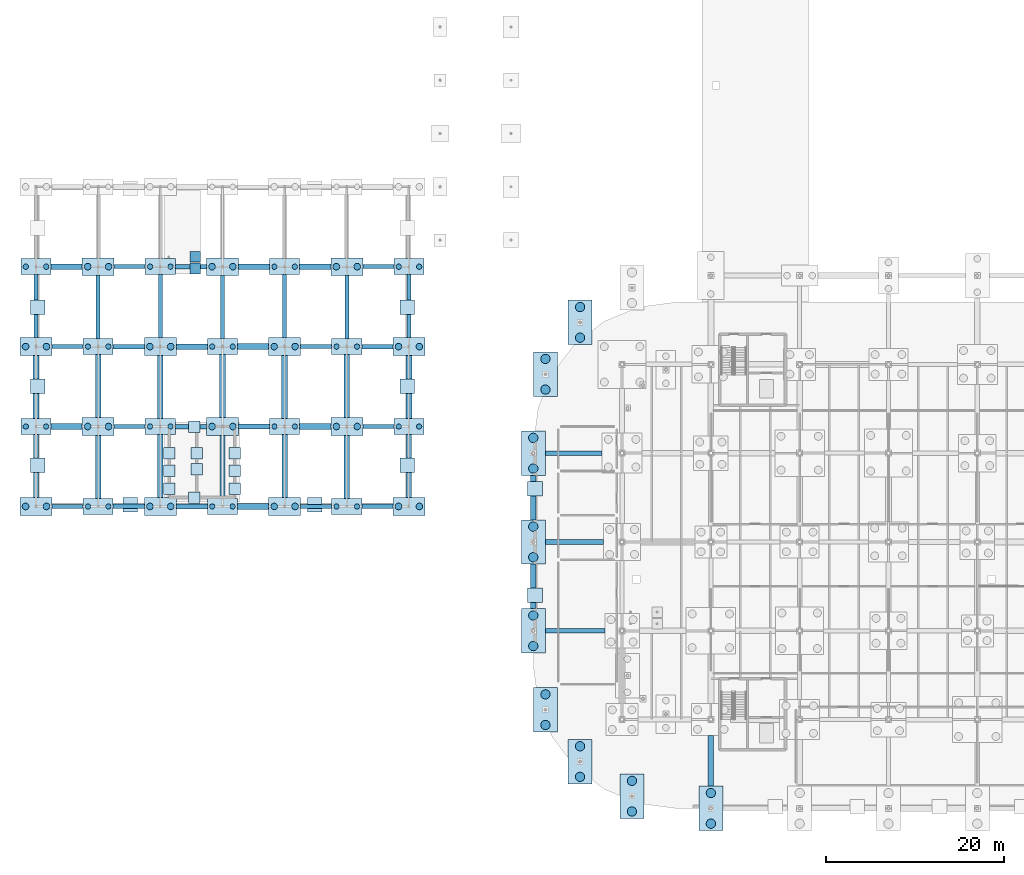
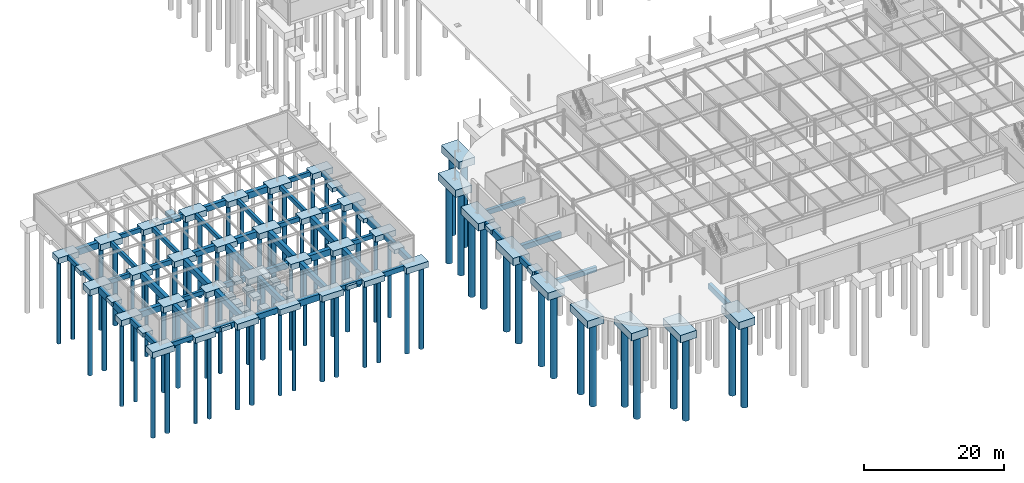
# One storey, part 1 of 75: 110 footings, 74 piles.
"""IFC4 building model written with IfcOpenShell, lengths in metres."""

from ifc_helpers import new_model, si_unit, derived_unit, direction, frame, origin, origin_2d_with_axis, place, context, subcontext, project, spatial, rectangle, circle, extrude, material, layer, layer_set, material_profile, profile_set, type_object, element, save


model = new_model("IFC4")

# Units and contexts
model_context = context("Model", 3, precision=1e-05, world=origin(), true_north=direction((0.0, 1.0)))
body_context = subcontext(model_context, "Body", "Model", "MODEL_VIEW")
ifc_project = project(units=[si_unit("LENGTHUNIT", "METRE"), si_unit("AREAUNIT", "SQUARE_METRE"), si_unit("VOLUMEUNIT", "CUBIC_METRE"), si_unit("PLANEANGLEUNIT", "RADIAN"), si_unit("MASSUNIT", "GRAM", prefix="KILO"), derived_unit("THERMALTRANSMITTANCEUNIT", [(si_unit("POWERUNIT", "WATT"), 1), (si_unit("LENGTHUNIT", "METRE"), -2), (si_unit("THERMODYNAMICTEMPERATUREUNIT", "KELVIN"), -1)])], contexts=[model_context])

# Site, building, storey
site_placement = place(None, origin())
site = spatial("IfcSite", under=ifc_project, at=site_placement, CompositionType="ELEMENT")
building_placement = place(site_placement, origin())
building = spatial("IfcBuilding", under=site, at=building_placement, Name="Cinnabar Yard Market Hall", CompositionType="ELEMENT")
storey_placement = place(building_placement, frame((0.0, 0.0, -4.5)))
storey = spatial("IfcBuildingStorey", under=building, at=storey_placement, Name="B1", CompositionType="ELEMENT", Elevation=-4.5)

# Footings
ifc_material = material(Name="Concrete 40 MPa", Category="concrete")
ifc_material_profile_1 = material_profile(ifc_material, rectangle(XDim=0.449951171875, YDim=0.75, at=origin_2d_with_axis()), Name="GB-450x750")
ifc_profile_set_1 = profile_set([ifc_material_profile_1], Name="Concrete 40 MPa")
footing_type_1 = type_object("IfcFootingType", Name="FT-GB01", PredefinedType="FOOTING_BEAM", material=ifc_profile_set_1)
for number, where, z_axis, x_axis, name in (
    (1, (11.800048828125, 48.0, -0.824951171875), (1.0, 0.0, 0.0), (0.0, 1.0, 0.0), "Ground Beam X 0048"),
    (2, (39.800048828125, 48.0, -0.824951171875), (1.0, 0.0, 0.0), (0.0, 1.0, 0.0), "Ground Beam X 0052"),
    (3, (18.800048828125, 57.0, -0.824951171875), (1.0, 0.0, 0.0), (0.0, 1.0, 0.0), "Ground Beam X 0068"),
    (4, (46.800048828125, 57.0, -0.824951171875), (1.0, 0.0, 0.0), (0.0, 1.0, 0.0), "Ground Beam X 0072"),
    (5, (11.800048828125, 66.0, -0.824951171875), (1.0, 0.0, 0.0), (0.0, 1.0, 0.0), "Ground Beam X 0084"),
    (6, (39.800048828125, 66.0, -0.824951171875), (1.0, 0.0, 0.0), (0.0, 1.0, 0.0), "Ground Beam X 0088"),
    (7, (18.800048828125, 75.0, -0.824951171875), (1.0, 0.0, 0.0), (0.0, 1.0, 0.0), "Ground Beam X 0100"),
    (8, (46.800048828125, 75.0, -0.824951171875), (1.0, 0.0, 0.0), (0.0, 1.0, 0.0), "Ground Beam X 0104"),
):
    element("IfcFooting", number, at=place(storey_placement, frame(where, z_axis=z_axis, x_axis=x_axis)), inside=storey, type_object=footing_type_1, Name=name, PredefinedType="FOOTING_BEAM", context=body_context, shape_type="SweptSolid", body=[
        extrude(rectangle(XDim=0.449951171875, YDim=0.75, at=origin_2d_with_axis()), origin(), (0.0, 0.0, 1.0), 3.5),
    ])
for number, where, z_axis, x_axis, name in (
    (9, (10.0, 67.0, -0.824951171875), (0.0, 1.0, 0.0), (-1.0, 0.0, 0.0), "Ground Beam Y 0152"),
    (10, (17.0, 66.89990234375, -0.824951171875), (0.0, 1.0, 0.0), (-1.0, 0.0, 0.0), "Ground Beam Y 0156"),
    (11, (24.0, 67.0, -0.824951171875), (0.0, 1.0, 0.0), (-1.0, 0.0, 0.0), "Ground Beam Y 0160"),
    (12, (31.0, 66.89990234375, -0.824951171875), (0.0, 1.0, 0.0), (-1.0, 0.0, 0.0), "Ground Beam Y 0164"),
    (13, (38.0, 67.0, -0.824951171875), (0.0, 1.0, 0.0), (-1.0, 0.0, 0.0), "Ground Beam Y 0168"),
    (14, (45.0, 66.89990234375, -0.824951171875), (0.0, 1.0, 0.0), (-1.0, 0.0, 0.0), "Ground Beam Y 0172"),
    (15, (52.0, 67.0, -0.824951171875), (0.0, 1.0, 0.0), (-1.0, 0.0, 0.0), "Ground Beam Y 0176"),
):
    element("IfcFooting", number, at=place(storey_placement, frame(where, z_axis=z_axis, x_axis=x_axis)), inside=storey, type_object=footing_type_1, Name=name, PredefinedType="FOOTING_BEAM", context=body_context, shape_type="SweptSolid", body=[
        extrude(rectangle(XDim=0.449951171875, YDim=0.75, at=origin_2d_with_axis()), origin(), (0.0, 0.0, 1.0), 7.10009765625),
    ])
ifc_material_profile_2 = material_profile(ifc_material, rectangle(XDim=0.5, YDim=0.85009765625, at=origin_2d_with_axis()), Name="GB-500x850")
ifc_profile_set_2 = profile_set([ifc_material_profile_2], Name="Concrete 40 MPa")
footing_type_2 = type_object("IfcFootingType", Name="FT-GB02", PredefinedType="FOOTING_BEAM", material=ifc_profile_set_2)
footing_1_placement = place(storey_placement, frame((67.35009765625, 34.0, -0.875), z_axis=(1.0, 0.0, 0.0), x_axis=(0.0, 1.0, 0.0)))
element("IfcFooting", 16, at=footing_1_placement, inside=storey, type_object=footing_type_2, Name="Ground Beam X 0021", PredefinedType="FOOTING_BEAM", context=body_context, shape_type="SweptSolid", body=[
    extrude(rectangle(XDim=0.5, YDim=0.85009765625, at=origin_2d_with_axis()), origin(), (0.0, 0.0, 1.0), 6.699951171875),
])
for number, where, z_axis, x_axis, name in (
    (17, (18.699951171875, 48.0, -0.875), (1.0, 0.0, 0.0), (0.0, 1.0, 0.0), "Ground Beam X 0049"),
    (18, (46.699951171875, 48.0, -0.875), (1.0, 0.0, 0.0), (0.0, 1.0, 0.0), "Ground Beam X 0053"),
):
    element("IfcFooting", number, at=place(storey_placement, frame(where, z_axis=z_axis, x_axis=x_axis)), inside=storey, type_object=footing_type_2, Name=name, PredefinedType="FOOTING_BEAM", context=body_context, shape_type="SweptSolid", body=[
        extrude(rectangle(XDim=0.5, YDim=0.85009765625, at=origin_2d_with_axis()), origin(), (0.0, 0.0, 1.0), 3.5),
    ])
footing_2_placement = place(storey_placement, frame((67.35009765625, 54.0, -0.875), z_axis=(1.0, 0.0, 0.0), x_axis=(0.0, 1.0, 0.0)))
element("IfcFooting", 19, at=footing_2_placement, inside=storey, type_object=footing_type_2, Name="Ground Beam X 0057", PredefinedType="FOOTING_BEAM", context=body_context, shape_type="SweptSolid", body=[
    extrude(rectangle(XDim=0.5, YDim=0.85009765625, at=origin_2d_with_axis()), origin(), (0.0, 0.0, 1.0), 6.39990234375),
])
for number, where, z_axis, x_axis, name in (
    (20, (25.699951171875, 57.0, -0.875), (1.0, 0.0, 0.0), (0.0, 1.0, 0.0), "Ground Beam X 0069"),
    (21, (18.699951171875, 66.0, -0.875), (1.0, 0.0, 0.0), (0.0, 1.0, 0.0), "Ground Beam X 0085"),
    (22, (46.699951171875, 66.0, -0.875), (1.0, 0.0, 0.0), (0.0, 1.0, 0.0), "Ground Beam X 0089"),
    (23, (25.699951171875, 75.0, -0.875), (1.0, 0.0, 0.0), (0.0, 1.0, 0.0), "Ground Beam X 0101"),
):
    element("IfcFooting", number, at=place(storey_placement, frame(where, z_axis=z_axis, x_axis=x_axis)), inside=storey, type_object=footing_type_2, Name=name, PredefinedType="FOOTING_BEAM", context=body_context, shape_type="SweptSolid", body=[
        extrude(rectangle(XDim=0.5, YDim=0.85009765625, at=origin_2d_with_axis()), origin(), (0.0, 0.0, 1.0), 3.5),
    ])
ifc_material_profile_3 = material_profile(ifc_material, rectangle(XDim=0.60009765625, YDim=0.949951171875, at=origin_2d_with_axis()), Name="GB-600x950")
ifc_profile_set_3 = profile_set([ifc_material_profile_3], Name="Concrete 40 MPa")
footing_type_3 = type_object("IfcFootingType", Name="FT-GB03", PredefinedType="FOOTING_BEAM", material=ifc_profile_set_3)
footing_3_placement = place(storey_placement, frame((67.35009765625, 44.0, -0.925048828125), z_axis=(1.0, 0.0, 0.0), x_axis=(0.0, 1.0, 0.0)))
element("IfcFooting", 24, at=footing_3_placement, inside=storey, type_object=footing_type_3, Name="Ground Beam X 0038", PredefinedType="FOOTING_BEAM", context=body_context, shape_type="SweptSolid", body=[
    extrude(rectangle(XDim=0.60009765625, YDim=0.949951171875, at=origin_2d_with_axis()), origin(), (0.0, 0.0, 1.0), 6.5498046875),
])
for number, where, z_axis, x_axis, name in (
    (25, (25.800048828125, 48.0, -0.925048828125), (1.0, 0.0, 0.0), (0.0, 1.0, 0.0), "Ground Beam X 0050"),
    (26, (32.800048828125, 57.0, -0.925048828125), (1.0, 0.0, 0.0), (0.0, 1.0, 0.0), "Ground Beam X 0070"),
    (27, (25.800048828125, 66.0, -0.925048828125), (1.0, 0.0, 0.0), (0.0, 1.0, 0.0), "Ground Beam X 0086"),
    (28, (32.800048828125, 75.0, -0.925048828125), (1.0, 0.0, 0.0), (0.0, 1.0, 0.0), "Ground Beam X 0102"),
):
    element("IfcFooting", number, at=place(storey_placement, frame(where, z_axis=z_axis, x_axis=x_axis)), inside=storey, type_object=footing_type_3, Name=name, PredefinedType="FOOTING_BEAM", context=body_context, shape_type="SweptSolid", body=[
        extrude(rectangle(XDim=0.60009765625, YDim=0.949951171875, at=origin_2d_with_axis()), origin(), (0.0, 0.0, 1.0), 3.5),
    ])
for number, where, z_axis, x_axis, name in (
    (29, (10.0, 49.0, -0.925048828125), (0.0, 1.0, 0.0), (-1.0, 0.0, 0.0), "Ground Beam Y 0150"),
    (30, (17.0, 48.89990234375, -0.925048828125), (0.0, 1.0, 0.0), (-1.0, 0.0, 0.0), "Ground Beam Y 0154"),
    (31, (24.0, 49.0, -0.925048828125), (0.0, 1.0, 0.0), (-1.0, 0.0, 0.0), "Ground Beam Y 0158"),
    (32, (31.0, 48.89990234375, -0.925048828125), (0.0, 1.0, 0.0), (-1.0, 0.0, 0.0), "Ground Beam Y 0162"),
    (33, (38.0, 49.0, -0.925048828125), (0.0, 1.0, 0.0), (-1.0, 0.0, 0.0), "Ground Beam Y 0166"),
    (34, (45.0, 48.89990234375, -0.925048828125), (0.0, 1.0, 0.0), (-1.0, 0.0, 0.0), "Ground Beam Y 0170"),
    (35, (52.0, 49.0, -0.925048828125), (0.0, 1.0, 0.0), (-1.0, 0.0, 0.0), "Ground Beam Y 0174"),
):
    element("IfcFooting", number, at=place(storey_placement, frame(where, z_axis=z_axis, x_axis=x_axis)), inside=storey, type_object=footing_type_3, Name=name, PredefinedType="FOOTING_BEAM", context=body_context, shape_type="SweptSolid", body=[
        extrude(rectangle(XDim=0.60009765625, YDim=0.949951171875, at=origin_2d_with_axis()), origin(), (0.0, 0.0, 1.0), 7.10009765625),
    ])
footing_4_placement = place(storey_placement, frame((66.0, 36.5, -0.925048828125), z_axis=(0.0, 1.0, 0.0), x_axis=(-1.0, 0.0, 0.0)))
element("IfcFooting", 36, at=footing_4_placement, inside=storey, type_object=footing_type_3, Name="Ground Beam Y 0178", PredefinedType="FOOTING_BEAM", context=body_context, shape_type="SweptSolid", body=[
    extrude(rectangle(XDim=0.60009765625, YDim=0.949951171875, at=origin_2d_with_axis()), origin(), (0.0, 0.0, 1.0), 5.0),
])
footing_5_placement = place(storey_placement, frame((86.0, 16.5, -0.925048828125), z_axis=(0.0, 1.0, 0.0), x_axis=(-1.0, 0.0, 0.0)))
element("IfcFooting", 37, at=footing_5_placement, inside=storey, type_object=footing_type_3, Name="Ground Beam Y 0190", PredefinedType="FOOTING_BEAM", context=body_context, shape_type="SweptSolid", body=[
    extrude(rectangle(XDim=0.60009765625, YDim=0.949951171875, at=origin_2d_with_axis()), origin(), (0.0, 0.0, 1.0), 5.699951171875),
])
ifc_material_profile_4 = material_profile(ifc_material, rectangle(XDim=0.64990234375, YDim=1.10009765625, at=origin_2d_with_axis()), Name="GB-650x1100")
ifc_profile_set_4 = profile_set([ifc_material_profile_4], Name="Concrete 40 MPa")
footing_type_4 = type_object("IfcFootingType", Name="FT-GB04", PredefinedType="FOOTING_BEAM", material=ifc_profile_set_4)
for number, where, z_axis, x_axis, name in (
    (38, (32.699951171875, 48.0, -1.0), (1.0, 0.0, 0.0), (0.0, 1.0, 0.0), "Ground Beam X 0051"),
    (39, (11.699951171875, 57.0, -1.0), (1.0, 0.0, 0.0), (0.0, 1.0, 0.0), "Ground Beam X 0067"),
    (40, (39.699951171875, 57.0, -1.0), (1.0, 0.0, 0.0), (0.0, 1.0, 0.0), "Ground Beam X 0071"),
    (41, (32.699951171875, 66.0, -1.0), (1.0, 0.0, 0.0), (0.0, 1.0, 0.0), "Ground Beam X 0087"),
    (42, (11.699951171875, 75.0, -1.0), (1.0, 0.0, 0.0), (0.0, 1.0, 0.0), "Ground Beam X 0099"),
    (43, (39.699951171875, 75.0, -1.0), (1.0, 0.0, 0.0), (0.0, 1.0, 0.0), "Ground Beam X 0103"),
):
    element("IfcFooting", number, at=place(storey_placement, frame(where, z_axis=z_axis, x_axis=x_axis)), inside=storey, type_object=footing_type_4, Name=name, PredefinedType="FOOTING_BEAM", context=body_context, shape_type="SweptSolid", body=[
        extrude(rectangle(XDim=0.64990234375, YDim=1.10009765625, at=origin_2d_with_axis()), origin(), (0.0, 0.0, 1.0), 3.5),
    ])
for number, where, z_axis, x_axis, name in (
    (44, (10.0, 57.89990234375, -1.0), (0.0, 1.0, 0.0), (-1.0, 0.0, 0.0), "Ground Beam Y 0151"),
    (45, (17.0, 58.0, -1.0), (0.0, 1.0, 0.0), (-1.0, 0.0, 0.0), "Ground Beam Y 0155"),
    (46, (24.0, 57.89990234375, -1.0), (0.0, 1.0, 0.0), (-1.0, 0.0, 0.0), "Ground Beam Y 0159"),
    (47, (31.0, 58.0, -1.0), (0.0, 1.0, 0.0), (-1.0, 0.0, 0.0), "Ground Beam Y 0163"),
    (48, (38.0, 57.89990234375, -1.0), (0.0, 1.0, 0.0), (-1.0, 0.0, 0.0), "Ground Beam Y 0167"),
    (49, (45.0, 58.0, -1.0), (0.0, 1.0, 0.0), (-1.0, 0.0, 0.0), "Ground Beam Y 0171"),
    (50, (52.0, 57.89990234375, -1.0), (0.0, 1.0, 0.0), (-1.0, 0.0, 0.0), "Ground Beam Y 0175"),
):
    element("IfcFooting", number, at=place(storey_placement, frame(where, z_axis=z_axis, x_axis=x_axis)), inside=storey, type_object=footing_type_4, Name=name, PredefinedType="FOOTING_BEAM", context=body_context, shape_type="SweptSolid", body=[
        extrude(rectangle(XDim=0.64990234375, YDim=1.10009765625, at=origin_2d_with_axis()), origin(), (0.0, 0.0, 1.0), 7.10009765625),
    ])
footing_6_placement = place(storey_placement, frame((66.0, 46.5, -1.0), z_axis=(0.0, 1.0, 0.0), x_axis=(-1.0, 0.0, 0.0)))
element("IfcFooting", 51, at=footing_6_placement, inside=storey, type_object=footing_type_4, Name="Ground Beam Y 0179", PredefinedType="FOOTING_BEAM", context=body_context, shape_type="SweptSolid", body=[
    extrude(rectangle(XDim=0.64990234375, YDim=1.10009765625, at=origin_2d_with_axis()), origin(), (0.0, 0.0, 1.0), 5.0),
])
ifc_layer_1 = layer(ifc_material, 1.0)
ifc_layer_set_1 = layer_set([ifc_layer_1], Name="Concrete 40 MPa")
footing_type_5 = type_object("IfcFootingType", Name="FT-PC01", PredefinedType="PILE_CAP", material=ifc_layer_set_1)
for number, where, z_axis, x_axis, name in (
    (52, (10.0, 57.0, -1.449951171875), (0.0, 0.0, 1.0), (1.0, 0.0, 0.0), "Pile Cap V2-01-02"),
    (53, (10.0, 75.0, -1.449951171875), (0.0, 0.0, 1.0), (1.0, 0.0, 0.0), "Pile Cap V2-01-04"),
    (54, (17.0, 48.0, -1.449951171875), (0.0, 0.0, 1.0), (1.0, 0.0, 0.0), "Pile Cap V2-02-01"),
    (55, (17.0, 66.0, -1.449951171875), (0.0, 0.0, 1.0), (1.0, 0.0, 0.0), "Pile Cap V2-02-03"),
    (56, (24.0, 57.0, -1.449951171875), (0.0, 0.0, 1.0), (1.0, 0.0, 0.0), "Pile Cap V2-03-02"),
    (57, (24.0, 75.0, -1.449951171875), (0.0, 0.0, 1.0), (1.0, 0.0, 0.0), "Pile Cap V2-03-04"),
    (58, (31.0, 48.0, -1.449951171875), (0.0, 0.0, 1.0), (1.0, 0.0, 0.0), "Pile Cap V2-04-01"),
    (59, (31.0, 66.0, -1.449951171875), (0.0, 0.0, 1.0), (1.0, 0.0, 0.0), "Pile Cap V2-04-03"),
    (60, (38.0, 57.0, -1.449951171875), (0.0, 0.0, 1.0), (1.0, 0.0, 0.0), "Pile Cap V2-05-02"),
    (61, (38.0, 75.0, -1.449951171875), (0.0, 0.0, 1.0), (1.0, 0.0, 0.0), "Pile Cap V2-05-04"),
    (62, (45.0, 48.0, -1.449951171875), (0.0, 0.0, 1.0), (1.0, 0.0, 0.0), "Pile Cap V2-06-01"),
    (63, (45.0, 66.0, -1.449951171875), (0.0, 0.0, 1.0), (1.0, 0.0, 0.0), "Pile Cap V2-06-03"),
    (64, (52.0, 57.0, -1.449951171875), (0.0, 0.0, 1.0), (1.0, 0.0, 0.0), "Pile Cap V2-07-02"),
    (65, (52.0, 75.0, -1.449951171875), (0.0, 0.0, 1.0), (1.0, 0.0, 0.0), "Pile Cap V2-07-04"),
):
    element("IfcFooting", number, at=place(storey_placement, frame(where, z_axis=z_axis, x_axis=x_axis)), inside=storey, type_object=footing_type_5, Name=name, PredefinedType="PILE_CAP", context=body_context, shape_type="SweptSolid", body=[
        extrude(rectangle(XDim=3.39990234375, YDim=1.800048828125, at=origin_2d_with_axis()), origin(), (0.0, 0.0, 1.0), 1.0),
    ])
ifc_layer_2 = layer(ifc_material, 1.050048828125)
ifc_layer_set_2 = layer_set([ifc_layer_2], Name="Concrete 40 MPa")
footing_type_6 = type_object("IfcFootingType", Name="FT-PC02", PredefinedType="PILE_CAP", material=ifc_layer_set_2)
for number, where, z_axis, x_axis, name in (
    (66, (10.0, 48.0, -1.5), (0.0, 0.0, 1.0), (1.0, 0.0, 0.0), "Pile Cap V2-01-01"),
    (67, (10.0, 66.0, -1.5), (0.0, 0.0, 1.0), (1.0, 0.0, 0.0), "Pile Cap V2-01-03"),
    (68, (17.0, 57.0, -1.5), (0.0, 0.0, 1.0), (1.0, 0.0, 0.0), "Pile Cap V2-02-02"),
    (69, (17.0, 75.0, -1.5), (0.0, 0.0, 1.0), (1.0, 0.0, 0.0), "Pile Cap V2-02-04"),
    (70, (24.0, 48.0, -1.5), (0.0, 0.0, 1.0), (1.0, 0.0, 0.0), "Pile Cap V2-03-01"),
    (71, (24.0, 66.0, -1.5), (0.0, 0.0, 1.0), (1.0, 0.0, 0.0), "Pile Cap V2-03-03"),
    (72, (31.0, 57.0, -1.5), (0.0, 0.0, 1.0), (1.0, 0.0, 0.0), "Pile Cap V2-04-02"),
    (73, (31.0, 75.0, -1.5), (0.0, 0.0, 1.0), (1.0, 0.0, 0.0), "Pile Cap V2-04-04"),
    (74, (38.0, 48.0, -1.5), (0.0, 0.0, 1.0), (1.0, 0.0, 0.0), "Pile Cap V2-05-01"),
    (75, (38.0, 66.0, -1.5), (0.0, 0.0, 1.0), (1.0, 0.0, 0.0), "Pile Cap V2-05-03"),
    (76, (45.0, 57.0, -1.5), (0.0, 0.0, 1.0), (1.0, 0.0, 0.0), "Pile Cap V2-06-02"),
    (77, (45.0, 75.0, -1.5), (0.0, 0.0, 1.0), (1.0, 0.0, 0.0), "Pile Cap V2-06-04"),
    (78, (52.0, 48.0, -1.5), (0.0, 0.0, 1.0), (1.0, 0.0, 0.0), "Pile Cap V2-07-01"),
    (79, (52.0, 66.0, -1.5), (0.0, 0.0, 1.0), (1.0, 0.0, 0.0), "Pile Cap V2-07-03"),
):
    element("IfcFooting", number, at=place(storey_placement, frame(where, z_axis=z_axis, x_axis=x_axis)), inside=storey, type_object=footing_type_6, Name=name, PredefinedType="PILE_CAP", context=body_context, shape_type="SweptSolid", body=[
        extrude(rectangle(XDim=3.60009765625, YDim=2.0, at=origin_2d_with_axis()), origin(), (0.0, 0.0, 1.0), 1.050048828125),
    ])
ifc_layer_3 = layer(ifc_material, 1.300048828125)
ifc_layer_set_3 = layer_set([ifc_layer_3], Name="Concrete 40 MPa")
footing_type_7 = type_object("IfcFootingType", Name="FT-PC10", PredefinedType="PILE_CAP", material=ifc_layer_set_3)
for number, where, z_axis, x_axis, name in (
    (80, (86.0, 14.0, -1.75), (0.0, 0.0, 1.0), (1.0, 0.0, 0.0), "Pile Cap V1S-01"),
    (81, (66.0, 34.0, -1.75), (0.0, 0.0, 1.0), (1.0, 0.0, 0.0), "Pile Cap V1W-01"),
    (82, (66.0, 44.0, -1.75), (0.0, 0.0, 1.0), (1.0, 0.0, 0.0), "Pile Cap V1W-02"),
    (83, (66.0, 54.0, -1.75), (0.0, 0.0, 1.0), (1.0, 0.0, 0.0), "Pile Cap V1W-03"),
    (84, (67.3701171875, 25.11181640625, -1.75), (0.0, 0.0, 1.0), (1.0, 0.0, 0.0), "Pile Cap V1C-SW2"),
    (85, (71.272216796875, 19.272216796875, -1.75), (0.0, 0.0, 1.0), (1.0, 0.0, 0.0), "Pile Cap V1C-SW4"),
    (86, (77.11181640625, 15.3701171875, -1.75), (0.0, 0.0, 1.0), (1.0, 0.0, 0.0), "Pile Cap V1C-SW6"),
    (87, (71.272216796875, 68.727783203125, -1.75), (0.0, 0.0, 1.0), (1.0, 0.0, 0.0), "Pile Cap V1C-NW4"),
    (88, (67.3701171875, 62.88818359375, -1.75), (0.0, 0.0, 1.0), (1.0, 0.0, 0.0), "Pile Cap V1C-NW6"),
):
    element("IfcFooting", number, at=place(storey_placement, frame(where, z_axis=z_axis, x_axis=x_axis)), inside=storey, type_object=footing_type_7, Name=name, PredefinedType="PILE_CAP", context=body_context, shape_type="SweptSolid", body=[
        extrude(rectangle(XDim=2.699951171875, YDim=5.0, at=origin_2d_with_axis()), origin(), (0.0, 0.0, 1.0), 1.300048828125),
    ])
ifc_layer_4 = layer(ifc_material, 0.719970703125)
ifc_layer_set_4 = layer_set([ifc_layer_4], Name="Concrete 40 MPa")
footing_type_8 = type_object("IfcFootingType", Name="FT-PF02", PredefinedType="PAD_FOOTING", material=ifc_layer_set_4)
for number, where, z_axis, x_axis, name in (
    (89, (66.199951171875, 38.0, -1.169921875), (0.0, 0.0, 1.0), (1.0, 0.0, 0.0), "Wall Pad B1-RET-V1W-2"),
    (90, (66.199951171875, 50.0, -1.169921875), (0.0, 0.0, 1.0), (1.0, 0.0, 0.0), "Wall Pad B1-RET-V1W-6"),
    (91, (20.60009765625, 48.199951171875, -1.169921875), (0.0, 0.0, 1.0), (1.0, 0.0, 0.0), "Wall Pad B1-RET-V2S-2"),
    (92, (41.39990234375, 48.199951171875, -1.169921875), (0.0, 0.0, 1.0), (1.0, 0.0, 0.0), "Wall Pad B1-RET-V2S-6"),
    (93, (10.199951171875, 70.449951171875, -1.169921875), (0.0, 0.0, 1.0), (1.0, 0.0, 0.0), "Wall Pad B1-RET-V2W-3"),
    (94, (10.199951171875, 61.550048828125, -1.169921875), (0.0, 0.0, 1.0), (1.0, 0.0, 0.0), "Wall Pad B1-RET-V2W-5"),
    (95, (10.199951171875, 52.64990234375, -1.169921875), (0.0, 0.0, 1.0), (1.0, 0.0, 0.0), "Wall Pad B1-RET-V2W-7"),
    (96, (51.800048828125, 52.64990234375, -1.169921875), (0.0, 0.0, 1.0), (1.0, 0.0, 0.0), "Wall Pad B1-RET-V2E-1"),
    (97, (51.800048828125, 61.550048828125, -1.169921875), (0.0, 0.0, 1.0), (1.0, 0.0, 0.0), "Wall Pad B1-RET-V2E-3"),
    (98, (51.800048828125, 70.449951171875, -1.169921875), (0.0, 0.0, 1.0), (1.0, 0.0, 0.0), "Wall Pad B1-RET-V2E-5"),
):
    element("IfcFooting", number, at=place(storey_placement, frame(where, z_axis=z_axis, x_axis=x_axis)), inside=storey, type_object=footing_type_8, Name=name, PredefinedType="PAD_FOOTING", context=body_context, shape_type="SweptSolid", body=[
        extrude(rectangle(XDim=1.64990234375, YDim=1.64990234375, at=origin_2d_with_axis()), origin(), (0.0, 0.0, 1.0), 0.719970703125),
    ])
ifc_layer_5 = layer(ifc_material, 0.60009765625)
ifc_layer_set_5 = layer_set([ifc_layer_5], Name="Concrete 40 MPa")
footing_type_9 = type_object("IfcFootingType", Name="FT-PF07", PredefinedType="PAD_FOOTING", material=ifc_layer_set_5)
for number, where, z_axis, x_axis, name in (
    (99, (25.0, 50.0, -1.050048828125), (0.0, 0.0, 1.0), (1.0, 0.0, 0.0), "Core C4 Foundation Pad 1"),
    (100, (25.0, 52.0, -1.050048828125), (0.0, 0.0, 1.0), (1.0, 0.0, 0.0), "Core C4 Foundation Pad 2"),
    (101, (25.0, 54.0, -1.050048828125), (0.0, 0.0, 1.0), (1.0, 0.0, 0.0), "Core C4 Foundation Pad 3"),
    (102, (32.39990234375, 50.0, -1.050048828125), (0.0, 0.0, 1.0), (1.0, 0.0, 0.0), "Core C4 Foundation Pad 5"),
    (103, (32.39990234375, 52.0, -1.050048828125), (0.0, 0.0, 1.0), (1.0, 0.0, 0.0), "Core C4 Foundation Pad 6"),
    (104, (32.39990234375, 54.0, -1.050048828125), (0.0, 0.0, 1.0), (1.0, 0.0, 0.0), "Core C4 Foundation Pad 7"),
    (105, (27.800048828125, 49.0, -1.050048828125), (0.0, 0.0, 1.0), (1.0, 0.0, 0.0), "Core C4 Foundation Pad 10"),
    (106, (27.800048828125, 57.0, -1.050048828125), (0.0, 0.0, 1.0), (1.0, 0.0, 0.0), "Core C4 Foundation Pad 13"),
    (107, (28.114990234375, 52.199951171875, -1.050048828125), (0.0, 0.0, 1.0), (1.0, 0.0, 0.0), "Core C4 Foundation Pad 16"),
    (108, (28.114990234375, 54.0, -1.050048828125), (0.0, 0.0, 1.0), (1.0, 0.0, 0.0), "Core C4 Foundation Pad 17"),
):
    element("IfcFooting", number, at=place(storey_placement, frame(where, z_axis=z_axis, x_axis=x_axis)), inside=storey, type_object=footing_type_9, Name=name, PredefinedType="PAD_FOOTING", context=body_context, shape_type="SweptSolid", body=[
        extrude(rectangle(XDim=1.300048828125, YDim=1.300048828125, at=origin_2d_with_axis()), origin(), (0.0, 0.0, 1.0), 0.60009765625),
    ])
ifc_layer_6 = layer(ifc_material, 0.60009765625)
ifc_layer_set_6 = layer_set([ifc_layer_6], Name="Concrete 40 MPa")
footing_type_10 = type_object("IfcFootingType", Name="FT-PF08", PredefinedType="PAD_FOOTING", material=ifc_layer_set_6)
for number, where, z_axis, x_axis, name in (
    (109, (27.949951171875, 74.800048828125, -1.050048828125), (0.0, 0.0, 1.0), (1.0, 0.0, 0.0), "Feature Stair Pad ST-F3-2"),
    (110, (27.949951171875, 76.10009765625, -1.050048828125), (0.0, 0.0, 1.0), (1.0, 0.0, 0.0), "Feature Stair Pad ST-F3-4"),
):
    element("IfcFooting", number, at=place(storey_placement, frame(where, z_axis=z_axis, x_axis=x_axis)), inside=storey, type_object=footing_type_10, Name=name, PredefinedType="PAD_FOOTING", context=body_context, shape_type="SweptSolid", body=[
        extrude(rectangle(XDim=1.199951171875, YDim=1.199951171875, at=origin_2d_with_axis()), origin(), (0.0, 0.0, 1.0), 0.60009765625),
    ])

# Piles
ifc_material_profile_5 = material_profile(ifc_material, circle(Radius=0.52490234375, at=origin_2d_with_axis()), Name="PILE-D1050")
ifc_profile_set_5 = profile_set([ifc_material_profile_5], Name="Concrete 40 MPa")
pile_type_1 = type_object("IfcPileType", Name="PILE-PL1050", PredefinedType="BORED", material=ifc_profile_set_5)
for number, where, z_axis, x_axis, name in (
    (111, (86.0, 12.27490234375, -1.64990234375), (0.0, 0.0, -1.0), (1.0, 0.0, 0.0), "Bored Pile 0181"),
    (112, (86.0, 15.72509765625, -1.64990234375), (0.0, 0.0, -1.0), (1.0, 0.0, 0.0), "Bored Pile 0182"),
    (113, (66.0, 32.27490234375, -1.64990234375), (0.0, 0.0, -1.0), (1.0, 0.0, 0.0), "Bored Pile 0209"),
    (114, (66.0, 35.72509765625, -1.64990234375), (0.0, 0.0, -1.0), (1.0, 0.0, 0.0), "Bored Pile 0210"),
    (115, (66.0, 42.27490234375, -1.64990234375), (0.0, 0.0, -1.0), (1.0, 0.0, 0.0), "Bored Pile 0213"),
    (116, (66.0, 45.72509765625, -1.64990234375), (0.0, 0.0, -1.0), (1.0, 0.0, 0.0), "Bored Pile 0214"),
    (117, (66.0, 52.27490234375, -1.64990234375), (0.0, 0.0, -1.0), (1.0, 0.0, 0.0), "Bored Pile 0217"),
    (118, (66.0, 55.72509765625, -1.64990234375), (0.0, 0.0, -1.0), (1.0, 0.0, 0.0), "Bored Pile 0218"),
    (119, (67.3701171875, 23.38671875, -1.64990234375), (0.0, 0.0, -1.0), (1.0, 0.0, 0.0), "Bored Pile 0221"),
    (120, (67.3701171875, 26.836669921875, -1.64990234375), (0.0, 0.0, -1.0), (1.0, 0.0, 0.0), "Bored Pile 0222"),
    (121, (71.272216796875, 17.547119140625, -1.64990234375), (0.0, 0.0, -1.0), (1.0, 0.0, 0.0), "Bored Pile 0225"),
    (122, (71.272216796875, 20.9970703125, -1.64990234375), (0.0, 0.0, -1.0), (1.0, 0.0, 0.0), "Bored Pile 0226"),
    (123, (77.11181640625, 13.645263671875, -1.64990234375), (0.0, 0.0, -1.0), (1.0, 0.0, 0.0), "Bored Pile 0227"),
    (124, (77.11181640625, 17.09521484375, -1.64990234375), (0.0, 0.0, -1.0), (1.0, 0.0, 0.0), "Bored Pile 0228"),
    (125, (71.272216796875, 67.0029296875, -1.64990234375), (0.0, 0.0, -1.0), (1.0, 0.0, 0.0), "Bored Pile 0255"),
    (126, (71.272216796875, 70.452880859375, -1.64990234375), (0.0, 0.0, -1.0), (1.0, 0.0, 0.0), "Bored Pile 0256"),
    (127, (67.3701171875, 61.163330078125, -1.64990234375), (0.0, 0.0, -1.0), (1.0, 0.0, 0.0), "Bored Pile 0257"),
    (128, (67.3701171875, 64.61328125, -1.64990234375), (0.0, 0.0, -1.0), (1.0, 0.0, 0.0), "Bored Pile 0258"),
):
    element("IfcPile", number, at=place(storey_placement, frame(where, z_axis=z_axis, x_axis=x_axis)), inside=storey, type_object=pile_type_1, Name=name, PredefinedType="BORED", context=body_context, shape_type="SweptSolid", body=[
        extrude(circle(Radius=0.52490234375, at=origin_2d_with_axis()), origin(), (0.0, 0.0, 1.0), 14.35009765625),
    ])
ifc_material_profile_6 = material_profile(ifc_material, circle(Radius=0.300048828125, at=origin_2d_with_axis()), Name="PILE-D600")
ifc_profile_set_6 = profile_set([ifc_material_profile_6], Name="Concrete 40 MPa")
pile_type_2 = type_object("IfcPileType", Name="PILE-PL600", PredefinedType="BORED", material=ifc_profile_set_6)
for number, where, z_axis, x_axis, name in (
    (129, (8.85009765625, 57.0, -1.35009765625), (0.0, 0.0, -1.0), (1.0, 0.0, 0.0), "Bored Pile 0261"),
    (130, (11.14990234375, 57.0, -1.35009765625), (0.0, 0.0, -1.0), (1.0, 0.0, 0.0), "Bored Pile 0262"),
    (131, (8.85009765625, 75.0, -1.35009765625), (0.0, 0.0, -1.0), (1.0, 0.0, 0.0), "Bored Pile 0265"),
    (132, (11.14990234375, 75.0, -1.35009765625), (0.0, 0.0, -1.0), (1.0, 0.0, 0.0), "Bored Pile 0266"),
    (133, (15.85009765625, 48.0, -1.35009765625), (0.0, 0.0, -1.0), (1.0, 0.0, 0.0), "Bored Pile 0269"),
    (134, (18.14990234375, 48.0, -1.35009765625), (0.0, 0.0, -1.0), (1.0, 0.0, 0.0), "Bored Pile 0270"),
    (135, (15.85009765625, 66.0, -1.35009765625), (0.0, 0.0, -1.0), (1.0, 0.0, 0.0), "Bored Pile 0273"),
    (136, (18.14990234375, 66.0, -1.35009765625), (0.0, 0.0, -1.0), (1.0, 0.0, 0.0), "Bored Pile 0274"),
    (137, (22.85009765625, 57.0, -1.35009765625), (0.0, 0.0, -1.0), (1.0, 0.0, 0.0), "Bored Pile 0281"),
    (138, (25.14990234375, 57.0, -1.35009765625), (0.0, 0.0, -1.0), (1.0, 0.0, 0.0), "Bored Pile 0282"),
    (139, (22.85009765625, 75.0, -1.35009765625), (0.0, 0.0, -1.0), (1.0, 0.0, 0.0), "Bored Pile 0285"),
    (140, (25.14990234375, 75.0, -1.35009765625), (0.0, 0.0, -1.0), (1.0, 0.0, 0.0), "Bored Pile 0286"),
    (141, (29.85009765625, 48.0, -1.35009765625), (0.0, 0.0, -1.0), (1.0, 0.0, 0.0), "Bored Pile 0289"),
    (142, (32.14990234375, 48.0, -1.35009765625), (0.0, 0.0, -1.0), (1.0, 0.0, 0.0), "Bored Pile 0290"),
    (143, (29.85009765625, 66.0, -1.35009765625), (0.0, 0.0, -1.0), (1.0, 0.0, 0.0), "Bored Pile 0293"),
    (144, (32.14990234375, 66.0, -1.35009765625), (0.0, 0.0, -1.0), (1.0, 0.0, 0.0), "Bored Pile 0294"),
    (145, (36.85009765625, 57.0, -1.35009765625), (0.0, 0.0, -1.0), (1.0, 0.0, 0.0), "Bored Pile 0301"),
    (146, (39.14990234375, 57.0, -1.35009765625), (0.0, 0.0, -1.0), (1.0, 0.0, 0.0), "Bored Pile 0302"),
    (147, (36.85009765625, 75.0, -1.35009765625), (0.0, 0.0, -1.0), (1.0, 0.0, 0.0), "Bored Pile 0305"),
    (148, (39.14990234375, 75.0, -1.35009765625), (0.0, 0.0, -1.0), (1.0, 0.0, 0.0), "Bored Pile 0306"),
    (149, (43.85009765625, 48.0, -1.35009765625), (0.0, 0.0, -1.0), (1.0, 0.0, 0.0), "Bored Pile 0309"),
    (150, (46.14990234375, 48.0, -1.35009765625), (0.0, 0.0, -1.0), (1.0, 0.0, 0.0), "Bored Pile 0310"),
    (151, (43.85009765625, 66.0, -1.35009765625), (0.0, 0.0, -1.0), (1.0, 0.0, 0.0), "Bored Pile 0313"),
    (152, (46.14990234375, 66.0, -1.35009765625), (0.0, 0.0, -1.0), (1.0, 0.0, 0.0), "Bored Pile 0314"),
    (153, (50.85009765625, 57.0, -1.35009765625), (0.0, 0.0, -1.0), (1.0, 0.0, 0.0), "Bored Pile 0321"),
    (154, (53.14990234375, 57.0, -1.35009765625), (0.0, 0.0, -1.0), (1.0, 0.0, 0.0), "Bored Pile 0322"),
    (155, (50.85009765625, 75.0, -1.35009765625), (0.0, 0.0, -1.0), (1.0, 0.0, 0.0), "Bored Pile 0325"),
    (156, (53.14990234375, 75.0, -1.35009765625), (0.0, 0.0, -1.0), (1.0, 0.0, 0.0), "Bored Pile 0326"),
):
    element("IfcPile", number, at=place(storey_placement, frame(where, z_axis=z_axis, x_axis=x_axis)), inside=storey, type_object=pile_type_2, Name=name, PredefinedType="BORED", context=body_context, shape_type="SweptSolid", body=[
        extrude(circle(Radius=0.300048828125, at=origin_2d_with_axis()), origin(), (0.0, 0.0, 1.0), 14.64990234375),
    ])
ifc_material_profile_7 = material_profile(ifc_material, circle(Radius=0.375, at=origin_2d_with_axis()), Name="PILE-D750")
ifc_profile_set_7 = profile_set([ifc_material_profile_7], Name="Concrete 40 MPa")
pile_type_3 = type_object("IfcPileType", Name="PILE-PL750", PredefinedType="BORED", material=ifc_profile_set_7)
for number, where, z_axis, x_axis, name in (
    (157, (8.824951171875, 48.0, -1.39990234375), (0.0, 0.0, -1.0), (1.0, 0.0, 0.0), "Bored Pile 0259"),
    (158, (11.175048828125, 48.0, -1.39990234375), (0.0, 0.0, -1.0), (1.0, 0.0, 0.0), "Bored Pile 0260"),
    (159, (8.824951171875, 66.0, -1.39990234375), (0.0, 0.0, -1.0), (1.0, 0.0, 0.0), "Bored Pile 0263"),
    (160, (11.175048828125, 66.0, -1.39990234375), (0.0, 0.0, -1.0), (1.0, 0.0, 0.0), "Bored Pile 0264"),
    (161, (15.824951171875, 57.0, -1.39990234375), (0.0, 0.0, -1.0), (1.0, 0.0, 0.0), "Bored Pile 0271"),
    (162, (18.175048828125, 57.0, -1.39990234375), (0.0, 0.0, -1.0), (1.0, 0.0, 0.0), "Bored Pile 0272"),
    (163, (15.824951171875, 75.0, -1.39990234375), (0.0, 0.0, -1.0), (1.0, 0.0, 0.0), "Bored Pile 0275"),
    (164, (18.175048828125, 75.0, -1.39990234375), (0.0, 0.0, -1.0), (1.0, 0.0, 0.0), "Bored Pile 0276"),
    (165, (22.824951171875, 48.0, -1.39990234375), (0.0, 0.0, -1.0), (1.0, 0.0, 0.0), "Bored Pile 0279"),
    (166, (25.175048828125, 48.0, -1.39990234375), (0.0, 0.0, -1.0), (1.0, 0.0, 0.0), "Bored Pile 0280"),
    (167, (22.824951171875, 66.0, -1.39990234375), (0.0, 0.0, -1.0), (1.0, 0.0, 0.0), "Bored Pile 0283"),
    (168, (25.175048828125, 66.0, -1.39990234375), (0.0, 0.0, -1.0), (1.0, 0.0, 0.0), "Bored Pile 0284"),
    (169, (29.824951171875, 57.0, -1.39990234375), (0.0, 0.0, -1.0), (1.0, 0.0, 0.0), "Bored Pile 0291"),
    (170, (32.175048828125, 57.0, -1.39990234375), (0.0, 0.0, -1.0), (1.0, 0.0, 0.0), "Bored Pile 0292"),
    (171, (29.824951171875, 75.0, -1.39990234375), (0.0, 0.0, -1.0), (1.0, 0.0, 0.0), "Bored Pile 0295"),
    (172, (32.175048828125, 75.0, -1.39990234375), (0.0, 0.0, -1.0), (1.0, 0.0, 0.0), "Bored Pile 0296"),
    (173, (36.824951171875, 48.0, -1.39990234375), (0.0, 0.0, -1.0), (1.0, 0.0, 0.0), "Bored Pile 0299"),
    (174, (39.175048828125, 48.0, -1.39990234375), (0.0, 0.0, -1.0), (1.0, 0.0, 0.0), "Bored Pile 0300"),
    (175, (36.824951171875, 66.0, -1.39990234375), (0.0, 0.0, -1.0), (1.0, 0.0, 0.0), "Bored Pile 0303"),
    (176, (39.175048828125, 66.0, -1.39990234375), (0.0, 0.0, -1.0), (1.0, 0.0, 0.0), "Bored Pile 0304"),
    (177, (43.824951171875, 57.0, -1.39990234375), (0.0, 0.0, -1.0), (1.0, 0.0, 0.0), "Bored Pile 0311"),
    (178, (46.175048828125, 57.0, -1.39990234375), (0.0, 0.0, -1.0), (1.0, 0.0, 0.0), "Bored Pile 0312"),
    (179, (43.824951171875, 75.0, -1.39990234375), (0.0, 0.0, -1.0), (1.0, 0.0, 0.0), "Bored Pile 0315"),
    (180, (46.175048828125, 75.0, -1.39990234375), (0.0, 0.0, -1.0), (1.0, 0.0, 0.0), "Bored Pile 0316"),
    (181, (50.824951171875, 48.0, -1.39990234375), (0.0, 0.0, -1.0), (1.0, 0.0, 0.0), "Bored Pile 0319"),
    (182, (53.175048828125, 48.0, -1.39990234375), (0.0, 0.0, -1.0), (1.0, 0.0, 0.0), "Bored Pile 0320"),
    (183, (50.824951171875, 66.0, -1.39990234375), (0.0, 0.0, -1.0), (1.0, 0.0, 0.0), "Bored Pile 0323"),
    (184, (53.175048828125, 66.0, -1.39990234375), (0.0, 0.0, -1.0), (1.0, 0.0, 0.0), "Bored Pile 0324"),
):
    element("IfcPile", number, at=place(storey_placement, frame(where, z_axis=z_axis, x_axis=x_axis)), inside=storey, type_object=pile_type_3, Name=name, PredefinedType="BORED", context=body_context, shape_type="SweptSolid", body=[
        extrude(circle(Radius=0.375, at=origin_2d_with_axis()), origin(), (0.0, 0.0, 1.0), 14.60009765625),
    ])

save(model, "model.ifc")
